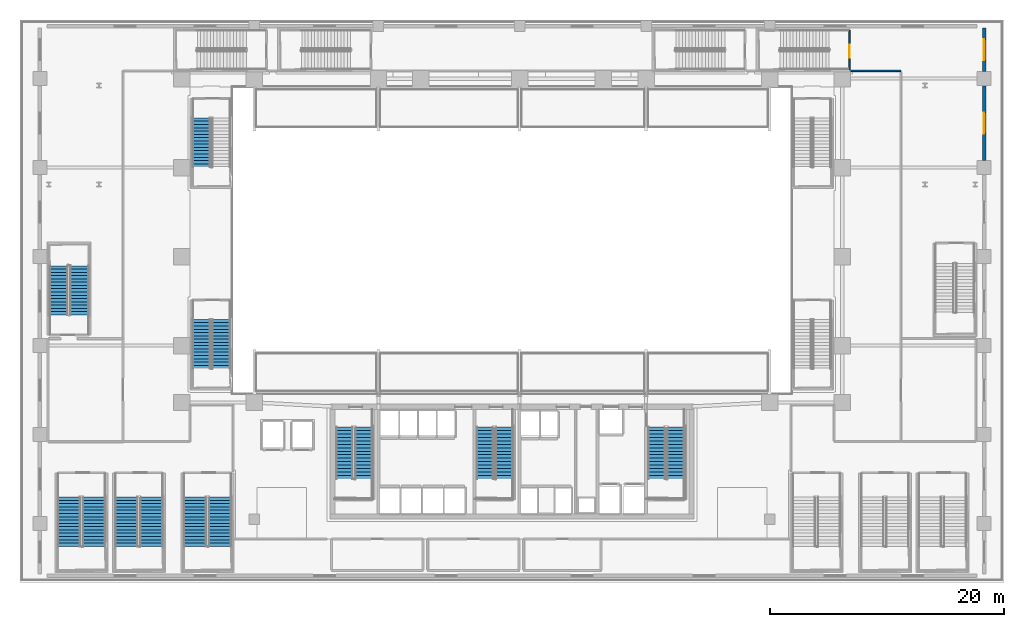
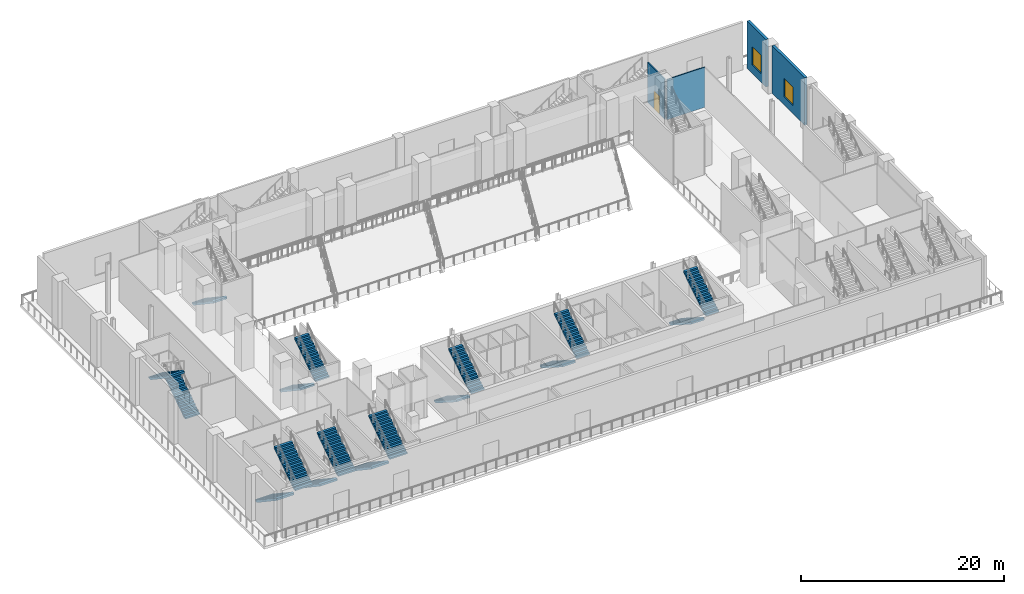
# One storey, part 12 of 30: 17 stair flights, 4 walls, 2 windows, 1 door, 3 openings, 9 elements without a shape of their own.
"""IFC4 building model written with IfcOpenShell, lengths in metres."""

from ifc_helpers import new_model, si_unit, direction, frame, frame_2d, origin, place, context, subcontext, project, spatial, polyline, rectangle, outline, extrude, material, layer, layer_set, type_object, element, fill, aggregate, save


model = new_model("IFC4")

# Units and contexts
model_context = context("Model", 3, precision=1e-05, world=origin(), true_north=direction((0.0, 1.0)))
body_context = subcontext(model_context, "Body", "Model", "MODEL_VIEW")
ifc_project = project(units=[si_unit("LENGTHUNIT", "METRE"), si_unit("AREAUNIT", "SQUARE_METRE"), si_unit("VOLUMEUNIT", "CUBIC_METRE"), si_unit("PLANEANGLEUNIT", "RADIAN"), si_unit("MASSUNIT", "GRAM", prefix="KILO")], contexts=[model_context])

# Site, building, storey
site_placement = place(None, origin())
site = spatial("IfcSite", under=ifc_project, at=site_placement, CompositionType="ELEMENT")
building_placement = place(site_placement, origin())
building = spatial("IfcBuilding", under=site, at=building_placement, Name="Ndaravel Arena Tower", CompositionType="ELEMENT")
storey_placement = place(building_placement, frame((0.0, 0.0, 6.0)))
storey = spatial("IfcBuildingStorey", under=building, at=storey_placement, Name="L01", CompositionType="ELEMENT", Elevation=6.0)

# Wall
ifc_material_1 = material(Name="Gypsum", Category="gypsum")
ifc_layer_1 = layer(ifc_material_1, 0.125)
ifc_layer_set_1 = layer_set([ifc_layer_1], Name="Gypsum")
wall_type_1 = type_object("IfcWallType", Name="WALL-PART-125", PredefinedType="PARTITIONING", material=ifc_layer_set_1)
wall_1_placement = place(storey_placement, frame((70.919921875, 43.64990234375, 0.0), z_axis=(0.0, 0.0, 1.0), x_axis=(1.0, 0.0, 0.0)))
element("IfcWall", 1, at=wall_1_placement, inside=storey, type_object=wall_type_1, Name="L01 Interior Partition 018", PredefinedType="PARTITIONING", context=body_context, shape_type="SweptSolid", body=[
    extrude(rectangle(XDim=4.280029296875, YDim=0.125, at=frame_2d((2.14013671875, 0.0))), origin(), (0.0, 0.0, 1.0), 4.819091796875),
])

# Wall, opening, window
ifc_material_2 = material(Name="Masonry", Category="masonry")
ifc_layer_2 = layer(ifc_material_2, 0.300048828125)
ifc_layer_set_2 = layer_set([ifc_layer_2], Name="Masonry")
wall_type_2 = type_object("IfcWallType", Name="WALL-POD-MAZERAS-300", PredefinedType="SOLIDWALL", material=ifc_layer_set_2)
wall_2_placement = place(storey_placement, frame((82.300048828125, 42.3798828125, 0.0), z_axis=(0.0, 0.0, 1.0), x_axis=(0.0, -1.0, 0.0)))
wall_2 = element("IfcWall", 2, at=wall_2_placement, inside=storey, type_object=wall_type_2, Name="L01 East Mazeras Bay 6", PredefinedType="SOLIDWALL", context=body_context, shape_type="SweptSolid", body=[
    extrude(rectangle(XDim=6.35986328125, YDim=0.300048828125, at=frame_2d((3.179931640625, 0.0))), origin(), (0.0, 0.0, 1.0), 5.699951171875),
])
opening_1_placement = place(wall_2_placement, frame((2.280029296875, 0.0, 1.0)))
opening_1 = element("IfcOpeningElement", 3, at=opening_1_placement, cuts=wall_2, Name="Opening W-PD2", PredefinedType="OPENING", context=body_context, shape_type="SweptSolid", body=[
    extrude(rectangle(XDim=1.800048828125, YDim=2.199951171875, at=frame_2d((0.89990234375, 1.10009765625))), frame((0.0, 0.14990234375, 0.0), z_axis=(0.0, -1.0, 0.0), x_axis=(1.0, 0.0, 0.0)), (0.0, 0.0, 1.0), 0.300048828125),
])
ifc_material_3 = material(Name="Glazing", Category="glass")
window_type = type_object("IfcWindowType", Name="WIN-POD-1800", PartitioningType="SINGLE_PANEL", PredefinedType="WINDOW", material=ifc_material_3)
window_1_placement = place(opening_1_placement, origin())
window_1 = element("IfcWindow", 4, at=window_1_placement, inside=storey, type_object=window_type, Name="L01 East Mazeras Window 6", OverallHeight=2.199951171875, OverallWidth=1.800048828125, PartitioningType="SINGLE_PANEL", PredefinedType="WINDOW", context=body_context, shape_type="SweptSolid", body=[
    extrude(rectangle(XDim=1.800048828125, YDim=2.199951171875, at=frame_2d((0.89990234375, 1.10009765625))), frame((0.0, 0.030029296875, 0.0), z_axis=(0.0, -1.0, 0.0), x_axis=(1.0, 0.0, 0.0)), (0.0, 0.0, 1.0), 0.06005859375),
])
fill(opening_1, window_1)

wall_3_placement = place(storey_placement, frame((82.300048828125, 47.300048828125, 0.0), z_axis=(0.0, 0.0, 1.0), x_axis=(0.0, -1.0, 0.0)))
wall_3 = element("IfcWall", 5, at=wall_3_placement, inside=storey, type_object=wall_type_2, Name="L01 East Mazeras Bay 7", PredefinedType="SOLIDWALL", context=body_context, shape_type="SweptSolid", body=[
    extrude(rectangle(XDim=3.699951171875, YDim=0.300048828125, at=frame_2d((1.85009765625, 0.0))), origin(), (0.0, 0.0, 1.0), 5.699951171875),
])
opening_2_placement = place(wall_3_placement, frame((0.949951171875, 0.0, 1.0)))
opening_2 = element("IfcOpeningElement", 6, at=opening_2_placement, cuts=wall_3, Name="Opening W-PD2", PredefinedType="OPENING", context=body_context, shape_type="SweptSolid", body=[
    extrude(rectangle(XDim=1.800048828125, YDim=2.199951171875, at=frame_2d((0.89990234375, 1.10009765625))), frame((0.0, 0.14990234375, 0.0), z_axis=(0.0, -1.0, 0.0), x_axis=(1.0, 0.0, 0.0)), (0.0, 0.0, 1.0), 0.300048828125),
])
window_2_placement = place(opening_2_placement, origin())
window_2 = element("IfcWindow", 7, at=window_2_placement, inside=storey, type_object=window_type, Name="L01 East Mazeras Window 7", OverallHeight=2.199951171875, OverallWidth=1.800048828125, PartitioningType="SINGLE_PANEL", PredefinedType="WINDOW", context=body_context, shape_type="SweptSolid", body=[
    extrude(rectangle(XDim=1.800048828125, YDim=2.199951171875, at=frame_2d((0.89990234375, 1.10009765625))), frame((0.0, 0.030029296875, 0.0), z_axis=(0.0, -1.0, 0.0), x_axis=(1.0, 0.0, 0.0)), (0.0, 0.0, 1.0), 0.06005859375),
])
fill(opening_2, window_2)

# Wall, opening, door
ifc_material_4 = material(Name="Concrete C40/50", Category="concrete")
ifc_layer_3 = layer(ifc_material_4, 0.1201171875)
ifc_layer_set_3 = layer_set([ifc_layer_3], Name="Concrete C40/50")
wall_type_3 = type_object("IfcWallType", Name="WALL-SHAFT-120", PredefinedType="SOLIDWALL", material=ifc_layer_set_3)
wall_4_placement = place(storey_placement, frame((70.800048828125, 47.135009765625, 0.0), z_axis=(0.0, 0.0, 1.0), x_axis=(0.0, -1.0, 0.0)))
wall_4 = element("IfcWall", 8, at=wall_4_placement, inside=storey, type_object=wall_type_3, Name="L01 ST-A11 Entry Wall", PredefinedType="SOLIDWALL", context=body_context, shape_type="SweptSolid", body=[
    extrude(rectangle(XDim=3.3701171875, YDim=0.1201171875, at=frame_2d((1.68505859375, 0.0))), origin(), (0.0, 0.0, 1.0), 4.819091796875),
])
opening_3_placement = place(wall_4_placement, frame((1.239990234375, 0.0, 0.0)))
opening_3 = element("IfcOpeningElement", 9, at=opening_3_placement, cuts=wall_4, Name="Opening FD-01", PredefinedType="OPENING", context=body_context, shape_type="SweptSolid", body=[
    extrude(rectangle(XDim=1.10009765625, YDim=2.199951171875, at=frame_2d((0.550048828125, 1.10009765625))), frame((0.0, 0.06005859375, 0.0), z_axis=(0.0, -1.0, 0.0), x_axis=(1.0, 0.0, 0.0)), (0.0, 0.0, 1.0), 0.1201171875),
])
ifc_material_5 = material(Name="Steel S355", Category="steel")
door_type = type_object("IfcDoorType", Name="DT-01-STAIR-1100", OperationType="SINGLE_SWING_LEFT", PredefinedType="DOOR", material=ifc_material_5)
door_placement = place(opening_3_placement, origin())
door = element("IfcDoor", 10, at=door_placement, inside=storey, type_object=door_type, Name="L01 ST-A11 Fire Exit Stair Door", OperationType="SINGLE_SWING_RIGHT", OverallHeight=2.199951171875, OverallWidth=1.10009765625, PredefinedType="DOOR", context=body_context, shape_type="SweptSolid", body=[
    extrude(rectangle(XDim=1.10009765625, YDim=2.199951171875, at=frame_2d((0.550048828125, 1.10009765625))), frame((0.0, 0.02490234375, 0.0), z_axis=(0.0, -1.0, 0.0), x_axis=(1.0, 0.0, 0.0)), (0.0, 0.0, 1.0), 0.050048828125),
])
fill(opening_3, door)

# Stair, stair flights
ifc_material_6 = material(Name="Concrete C40/50", Category="concrete")
stair_type_1 = type_object("IfcStairType", Name="STAIR-ARENA-HT", PredefinedType="HALF_TURN_STAIR", material=ifc_material_6)
stair_1_placement = place(storey_placement, origin())
stair_1 = element("IfcStair", 11, at=stair_1_placement, inside=storey, type_object=stair_type_1, Name="L01 ST-A01", PredefinedType="HALF_TURN_STAIR")
ifc_material_7 = material(Name="Concrete C40/50", Category="concrete")
stair_flight_type_1 = type_object("IfcStairFlightType", Name="SFLIGHT-ARENA-1980", PredefinedType="STRAIGHT", material=ifc_material_7)
stair_flight_1_placement = place(storey_placement, frame((4.18994140625, 7.27001953125, 0.0), z_axis=(0.0, 0.0, 1.0), x_axis=(0.0, -1.0, 0.0)))
stair_flight_1 = element("IfcStairFlight", 12, at=stair_flight_1_placement, type_object=stair_flight_type_1, Name="ST-A01 flight 1", NumberOfRisers=16, NumberOfTreads=15, PredefinedType="STRAIGHT", RiserHeight=0.1875, TreadLength=0.28, context=body_context, shape_type="SweptSolid", body=[
    extrude(outline(polyline([(0.0, 0.0), (0.0, 0.1875), (0.280029296875, 0.1875), (0.280029296875, 0.375), (0.56005859375, 0.375), (0.56005859375, 0.5625), (0.840087890625, 0.5625), (0.840087890625, 0.75), (1.1201171875, 0.75), (1.1201171875, 0.9375), (1.39990234375, 0.9375), (1.39990234375, 1.125), (1.679931640625, 1.125), (1.679931640625, 1.3125), (1.9599609375, 1.3125), (1.9599609375, 1.5), (2.239990234375, 1.5), (2.239990234375, 1.6875), (2.52001953125, 1.6875), (2.52001953125, 1.875), (2.800048828125, 1.875), (2.800048828125, 2.0625), (3.080078125, 2.0625), (3.080078125, 2.25), (3.360107421875, 2.25), (3.360107421875, 2.4375), (3.639892578125, 2.4375), (3.639892578125, 2.625), (3.919921875, 2.625), (3.919921875, 2.8125), (4.199951171875, 2.8125), (4.199951171875, 3.0), (4.199951171875, 2.57177734375), (0.359375, 0.0), (0.0, 0.0)])), frame((0.0, 0.989990234375, 0.0), z_axis=(0.0, -1.0, 0.0), x_axis=(1.0, 0.0, 0.0)), (0.0, 0.0, 1.0), 1.97998046875),
])
stair_flight_2_placement = place(storey_placement, frame((6.31005859375, 3.070068359375, 3.0), z_axis=(0.0, 0.0, 1.0), x_axis=(0.0, 1.0, 0.0)))
stair_flight_2 = element("IfcStairFlight", 13, at=stair_flight_2_placement, type_object=stair_flight_type_1, Name="ST-A01 flight 2", NumberOfRisers=16, NumberOfTreads=15, PredefinedType="STRAIGHT", RiserHeight=0.1875, TreadLength=0.28, context=body_context, shape_type="SweptSolid", body=[
    extrude(outline(polyline([(0.0, 0.0), (0.0, 0.1875), (0.280029296875, 0.1875), (0.280029296875, 0.375), (0.56005859375, 0.375), (0.56005859375, 0.5625), (0.840087890625, 0.5625), (0.840087890625, 0.75), (1.1201171875, 0.75), (1.1201171875, 0.9375), (1.39990234375, 0.9375), (1.39990234375, 1.125), (1.679931640625, 1.125), (1.679931640625, 1.3125), (1.9599609375, 1.3125), (1.9599609375, 1.5), (2.239990234375, 1.5), (2.239990234375, 1.6875), (2.52001953125, 1.6875), (2.52001953125, 1.875), (2.800048828125, 1.875), (2.800048828125, 2.0625), (3.080078125, 2.0625), (3.080078125, 2.25), (3.360107421875, 2.25), (3.360107421875, 2.4375), (3.639892578125, 2.4375), (3.639892578125, 2.625), (3.919921875, 2.625), (3.919921875, 2.8125), (4.199951171875, 2.8125), (4.199951171875, 3.0), (4.199951171875, 2.57177734375), (0.359375, 0.0), (0.0, 0.0)])), frame((0.0, 0.989990234375, 0.0), z_axis=(0.0, -1.0, 0.0), x_axis=(1.0, 0.0, 0.0)), (0.0, 0.0, 1.0), 1.97998046875),
])
aggregate(stair_1, [stair_flight_1, stair_flight_2])

stair_2_placement = place(storey_placement, origin())
stair_2 = element("IfcStair", 14, at=stair_2_placement, inside=storey, type_object=stair_type_1, Name="L01 ST-A02", PredefinedType="HALF_TURN_STAIR")
stair_flight_3_placement = place(storey_placement, frame((9.090087890625, 7.27001953125, 0.0), z_axis=(0.0, 0.0, 1.0), x_axis=(0.0, -1.0, 0.0)))
stair_flight_3 = element("IfcStairFlight", 15, at=stair_flight_3_placement, type_object=stair_flight_type_1, Name="ST-A02 flight 1", NumberOfRisers=16, NumberOfTreads=15, PredefinedType="STRAIGHT", RiserHeight=0.1875, TreadLength=0.28, context=body_context, shape_type="SweptSolid", body=[
    extrude(outline(polyline([(0.0, 0.0), (0.0, 0.1875), (0.280029296875, 0.1875), (0.280029296875, 0.375), (0.56005859375, 0.375), (0.56005859375, 0.5625), (0.840087890625, 0.5625), (0.840087890625, 0.75), (1.1201171875, 0.75), (1.1201171875, 0.9375), (1.39990234375, 0.9375), (1.39990234375, 1.125), (1.679931640625, 1.125), (1.679931640625, 1.3125), (1.9599609375, 1.3125), (1.9599609375, 1.5), (2.239990234375, 1.5), (2.239990234375, 1.6875), (2.52001953125, 1.6875), (2.52001953125, 1.875), (2.800048828125, 1.875), (2.800048828125, 2.0625), (3.080078125, 2.0625), (3.080078125, 2.25), (3.360107421875, 2.25), (3.360107421875, 2.4375), (3.639892578125, 2.4375), (3.639892578125, 2.625), (3.919921875, 2.625), (3.919921875, 2.8125), (4.199951171875, 2.8125), (4.199951171875, 3.0), (4.199951171875, 2.57177734375), (0.359375, 0.0), (0.0, 0.0)])), frame((0.0, 0.989990234375, 0.0), z_axis=(0.0, -1.0, 0.0), x_axis=(1.0, 0.0, 0.0)), (0.0, 0.0, 1.0), 1.97998046875),
])
stair_flight_4_placement = place(storey_placement, frame((11.2099609375, 3.070068359375, 3.0), z_axis=(0.0, 0.0, 1.0), x_axis=(0.0, 1.0, 0.0)))
stair_flight_4 = element("IfcStairFlight", 16, at=stair_flight_4_placement, type_object=stair_flight_type_1, Name="ST-A02 flight 2", NumberOfRisers=16, NumberOfTreads=15, PredefinedType="STRAIGHT", RiserHeight=0.1875, TreadLength=0.28, context=body_context, shape_type="SweptSolid", body=[
    extrude(outline(polyline([(0.0, 0.0), (0.0, 0.1875), (0.280029296875, 0.1875), (0.280029296875, 0.375), (0.56005859375, 0.375), (0.56005859375, 0.5625), (0.840087890625, 0.5625), (0.840087890625, 0.75), (1.1201171875, 0.75), (1.1201171875, 0.9375), (1.39990234375, 0.9375), (1.39990234375, 1.125), (1.679931640625, 1.125), (1.679931640625, 1.3125), (1.9599609375, 1.3125), (1.9599609375, 1.5), (2.239990234375, 1.5), (2.239990234375, 1.6875), (2.52001953125, 1.6875), (2.52001953125, 1.875), (2.800048828125, 1.875), (2.800048828125, 2.0625), (3.080078125, 2.0625), (3.080078125, 2.25), (3.360107421875, 2.25), (3.360107421875, 2.4375), (3.639892578125, 2.4375), (3.639892578125, 2.625), (3.919921875, 2.625), (3.919921875, 2.8125), (4.199951171875, 2.8125), (4.199951171875, 3.0), (4.199951171875, 2.57177734375), (0.359375, 0.0), (0.0, 0.0)])), frame((0.0, 0.989990234375, 0.0), z_axis=(0.0, -1.0, 0.0), x_axis=(1.0, 0.0, 0.0)), (0.0, 0.0, 1.0), 1.97998046875),
])
aggregate(stair_2, [stair_flight_3, stair_flight_4])

stair_3_placement = place(storey_placement, origin())
stair_3 = element("IfcStair", 17, at=stair_3_placement, inside=storey, type_object=stair_type_1, Name="L01 ST-A03", PredefinedType="HALF_TURN_STAIR")
stair_flight_5_placement = place(storey_placement, frame((14.93994140625, 7.27001953125, 0.0), z_axis=(0.0, 0.0, 1.0), x_axis=(0.0, -1.0, 0.0)))
stair_flight_5 = element("IfcStairFlight", 18, at=stair_flight_5_placement, type_object=stair_flight_type_1, Name="ST-A03 flight 1", NumberOfRisers=16, NumberOfTreads=15, PredefinedType="STRAIGHT", RiserHeight=0.1875, TreadLength=0.28, context=body_context, shape_type="SweptSolid", body=[
    extrude(outline(polyline([(0.0, 0.0), (0.0, 0.1875), (0.280029296875, 0.1875), (0.280029296875, 0.375), (0.56005859375, 0.375), (0.56005859375, 0.5625), (0.840087890625, 0.5625), (0.840087890625, 0.75), (1.1201171875, 0.75), (1.1201171875, 0.9375), (1.39990234375, 0.9375), (1.39990234375, 1.125), (1.679931640625, 1.125), (1.679931640625, 1.3125), (1.9599609375, 1.3125), (1.9599609375, 1.5), (2.239990234375, 1.5), (2.239990234375, 1.6875), (2.52001953125, 1.6875), (2.52001953125, 1.875), (2.800048828125, 1.875), (2.800048828125, 2.0625), (3.080078125, 2.0625), (3.080078125, 2.25), (3.360107421875, 2.25), (3.360107421875, 2.4375), (3.639892578125, 2.4375), (3.639892578125, 2.625), (3.919921875, 2.625), (3.919921875, 2.8125), (4.199951171875, 2.8125), (4.199951171875, 3.0), (4.199951171875, 2.57177734375), (0.359375, 0.0), (0.0, 0.0)])), frame((0.0, 0.989990234375, 0.0), z_axis=(0.0, -1.0, 0.0), x_axis=(1.0, 0.0, 0.0)), (0.0, 0.0, 1.0), 1.97998046875),
])
stair_flight_6_placement = place(storey_placement, frame((17.06005859375, 3.070068359375, 3.0), z_axis=(0.0, 0.0, 1.0), x_axis=(0.0, 1.0, 0.0)))
stair_flight_6 = element("IfcStairFlight", 19, at=stair_flight_6_placement, type_object=stair_flight_type_1, Name="ST-A03 flight 2", NumberOfRisers=16, NumberOfTreads=15, PredefinedType="STRAIGHT", RiserHeight=0.1875, TreadLength=0.28, context=body_context, shape_type="SweptSolid", body=[
    extrude(outline(polyline([(0.0, 0.0), (0.0, 0.1875), (0.280029296875, 0.1875), (0.280029296875, 0.375), (0.56005859375, 0.375), (0.56005859375, 0.5625), (0.840087890625, 0.5625), (0.840087890625, 0.75), (1.1201171875, 0.75), (1.1201171875, 0.9375), (1.39990234375, 0.9375), (1.39990234375, 1.125), (1.679931640625, 1.125), (1.679931640625, 1.3125), (1.9599609375, 1.3125), (1.9599609375, 1.5), (2.239990234375, 1.5), (2.239990234375, 1.6875), (2.52001953125, 1.6875), (2.52001953125, 1.875), (2.800048828125, 1.875), (2.800048828125, 2.0625), (3.080078125, 2.0625), (3.080078125, 2.25), (3.360107421875, 2.25), (3.360107421875, 2.4375), (3.639892578125, 2.4375), (3.639892578125, 2.625), (3.919921875, 2.625), (3.919921875, 2.8125), (4.199951171875, 2.8125), (4.199951171875, 3.0), (4.199951171875, 2.57177734375), (0.359375, 0.0), (0.0, 0.0)])), frame((0.0, 0.989990234375, 0.0), z_axis=(0.0, -1.0, 0.0), x_axis=(1.0, 0.0, 0.0)), (0.0, 0.0, 1.0), 1.97998046875),
])
aggregate(stair_3, [stair_flight_5, stair_flight_6])

ifc_material_8 = material(Name="Concrete C40/50", Category="concrete")
stair_type_2 = type_object("IfcStairType", Name="STAIR-POD-QT", PredefinedType="QUARTER_TURN_STAIR", material=ifc_material_8)
stair_4_placement = place(storey_placement, origin())
stair_4 = element("IfcStair", 20, at=stair_4_placement, inside=storey, type_object=stair_type_2, Name="L01 ST-A07", PredefinedType="QUARTER_TURN_STAIR")
stair_flight_7_placement = place(storey_placement, frame((5.070068359375, 22.820068359375, 0.0), z_axis=(0.0, 0.0, 1.0), x_axis=(0.0, 1.0, 0.0)))
stair_flight_7 = element("IfcStairFlight", 21, at=stair_flight_7_placement, type_object=stair_flight_type_1, Name="ST-A07 flight 1", NumberOfRisers=16, NumberOfTreads=15, PredefinedType="STRAIGHT", RiserHeight=0.1875, TreadLength=0.28, context=body_context, shape_type="SweptSolid", body=[
    extrude(outline(polyline([(0.0, 0.0), (0.0, 0.1875), (0.280029296875, 0.1875), (0.280029296875, 0.375), (0.56005859375, 0.375), (0.56005859375, 0.5625), (0.840087890625, 0.5625), (0.840087890625, 0.75), (1.1201171875, 0.75), (1.1201171875, 0.9375), (1.39990234375, 0.9375), (1.39990234375, 1.125), (1.679931640625, 1.125), (1.679931640625, 1.3125), (1.9599609375, 1.3125), (1.9599609375, 1.5), (2.239990234375, 1.5), (2.239990234375, 1.6875), (2.52001953125, 1.6875), (2.52001953125, 1.875), (2.800048828125, 1.875), (2.800048828125, 2.0625), (3.080078125, 2.0625), (3.080078125, 2.25), (3.360107421875, 2.25), (3.360107421875, 2.4375), (3.639892578125, 2.4375), (3.639892578125, 2.625), (3.919921875, 2.625), (3.919921875, 2.8125), (4.199951171875, 2.8125), (4.199951171875, 3.0), (4.199951171875, 2.57177734375), (0.359375, 0.0), (0.0, 0.0)])), frame((0.0, 0.81005859375, 0.0), z_axis=(0.0, -1.0, 0.0), x_axis=(1.0, 0.0, 0.0)), (0.0, 0.0, 1.0), 1.6201171875),
])
stair_flight_8_placement = place(storey_placement, frame((3.31005859375, 27.02001953125, 3.0), z_axis=(0.0, 0.0, 1.0), x_axis=(0.0, -1.0, 0.0)))
stair_flight_8 = element("IfcStairFlight", 22, at=stair_flight_8_placement, type_object=stair_flight_type_1, Name="ST-A07 flight 2", NumberOfRisers=16, NumberOfTreads=15, PredefinedType="STRAIGHT", RiserHeight=0.1875, TreadLength=0.28, context=body_context, shape_type="SweptSolid", body=[
    extrude(outline(polyline([(0.0, 0.0), (0.0, 0.1875), (0.280029296875, 0.1875), (0.280029296875, 0.375), (0.56005859375, 0.375), (0.56005859375, 0.5625), (0.840087890625, 0.5625), (0.840087890625, 0.75), (1.1201171875, 0.75), (1.1201171875, 0.9375), (1.39990234375, 0.9375), (1.39990234375, 1.125), (1.679931640625, 1.125), (1.679931640625, 1.3125), (1.9599609375, 1.3125), (1.9599609375, 1.5), (2.239990234375, 1.5), (2.239990234375, 1.6875), (2.52001953125, 1.6875), (2.52001953125, 1.875), (2.800048828125, 1.875), (2.800048828125, 2.0625), (3.080078125, 2.0625), (3.080078125, 2.25), (3.360107421875, 2.25), (3.360107421875, 2.4375), (3.639892578125, 2.4375), (3.639892578125, 2.625), (3.919921875, 2.625), (3.919921875, 2.8125), (4.199951171875, 2.8125), (4.199951171875, 3.0), (4.199951171875, 2.57177734375), (0.359375, 0.0), (0.0, 0.0)])), frame((0.0, 0.81005859375, 0.0), z_axis=(0.0, -1.0, 0.0), x_axis=(1.0, 0.0, 0.0)), (0.0, 0.0, 1.0), 1.6201171875),
])
aggregate(stair_4, [stair_flight_7, stair_flight_8])

ifc_material_9 = material(Name="Concrete C40/50", Category="concrete")
stair_type_3 = type_object("IfcStairType", Name="STAIR-CORE-HT", PredefinedType="HALF_TURN_STAIR", material=ifc_material_9)
stair_5_placement = place(storey_placement, origin())
stair_5 = element("IfcStair", 23, at=stair_5_placement, inside=storey, type_object=stair_type_3, Name="L01 ST-1", PredefinedType="HALF_TURN_STAIR")
ifc_material_10 = material(Name="Concrete C40/50", Category="concrete")
stair_flight_type_2 = type_object("IfcStairFlightType", Name="SFLIGHT-CORE-1680", PredefinedType="STRAIGHT", material=ifc_material_10)
stair_flight_9_placement = place(storey_placement, frame((27.699951171875, 13.25, 0.0), z_axis=(0.0, 0.0, 1.0), x_axis=(0.0, -1.0, 0.0)))
stair_flight_9 = element("IfcStairFlight", 24, at=stair_flight_9_placement, type_object=stair_flight_type_2, Name="ST-1 flight 1", NumberOfRisers=16, NumberOfTreads=15, PredefinedType="STRAIGHT", RiserHeight=0.1875, TreadLength=0.295, context=body_context, shape_type="SweptSolid", body=[
    extrude(outline(polyline([(0.0, 0.0), (0.0, 0.1875), (0.294921875, 0.1875), (0.294921875, 0.375), (0.590087890625, 0.375), (0.590087890625, 0.5625), (0.885009765625, 0.5625), (0.885009765625, 0.75), (1.179931640625, 0.75), (1.179931640625, 0.9375), (1.47509765625, 0.9375), (1.47509765625, 1.125), (1.77001953125, 1.125), (1.77001953125, 1.3125), (2.06494140625, 1.3125), (2.06494140625, 1.5), (2.360107421875, 1.5), (2.360107421875, 1.6875), (2.655029296875, 1.6875), (2.655029296875, 1.875), (2.949951171875, 1.875), (2.949951171875, 2.0625), (3.2451171875, 2.0625), (3.2451171875, 2.25), (3.5400390625, 2.25), (3.5400390625, 2.4375), (3.8349609375, 2.4375), (3.8349609375, 2.625), (4.1298828125, 2.625), (4.1298828125, 2.8125), (4.425048828125, 2.8125), (4.425048828125, 3.0), (4.425048828125, 2.599365234375), (0.33544921875, 0.0), (0.0, 0.0)])), frame((0.0, 0.75, 0.0), z_axis=(0.0, -1.0, 0.0), x_axis=(1.0, 0.0, 0.0)), (0.0, 0.0, 1.0), 1.5),
])
stair_flight_10_placement = place(storey_placement, frame((29.340087890625, 8.824951171875, 3.0), z_axis=(0.0, 0.0, 1.0), x_axis=(0.0, 1.0, 0.0)))
stair_flight_10 = element("IfcStairFlight", 25, at=stair_flight_10_placement, type_object=stair_flight_type_2, Name="ST-1 flight 2", NumberOfRisers=16, NumberOfTreads=15, PredefinedType="STRAIGHT", RiserHeight=0.1875, TreadLength=0.295, context=body_context, shape_type="SweptSolid", body=[
    extrude(outline(polyline([(0.0, 0.0), (0.0, 0.1875), (0.294921875, 0.1875), (0.294921875, 0.375), (0.590087890625, 0.375), (0.590087890625, 0.5625), (0.885009765625, 0.5625), (0.885009765625, 0.75), (1.179931640625, 0.75), (1.179931640625, 0.9375), (1.47509765625, 0.9375), (1.47509765625, 1.125), (1.77001953125, 1.125), (1.77001953125, 1.3125), (2.06494140625, 1.3125), (2.06494140625, 1.5), (2.360107421875, 1.5), (2.360107421875, 1.6875), (2.655029296875, 1.6875), (2.655029296875, 1.875), (2.949951171875, 1.875), (2.949951171875, 2.0625), (3.2451171875, 2.0625), (3.2451171875, 2.25), (3.5400390625, 2.25), (3.5400390625, 2.4375), (3.8349609375, 2.4375), (3.8349609375, 2.625), (4.1298828125, 2.625), (4.1298828125, 2.8125), (4.425048828125, 2.8125), (4.425048828125, 3.0), (4.425048828125, 2.599365234375), (0.33544921875, 0.0), (0.0, 0.0)])), frame((0.0, 0.75, 0.0), z_axis=(0.0, -1.0, 0.0), x_axis=(1.0, 0.0, 0.0)), (0.0, 0.0, 1.0), 1.5),
])
aggregate(stair_5, [stair_flight_9, stair_flight_10])

stair_6_placement = place(storey_placement, origin())
stair_6 = element("IfcStair", 26, at=stair_6_placement, inside=storey, type_object=stair_type_3, Name="L01 ST-2", PredefinedType="HALF_TURN_STAIR")
stair_flight_11_placement = place(storey_placement, frame((39.699951171875, 13.25, 0.0), z_axis=(0.0, 0.0, 1.0), x_axis=(0.0, -1.0, 0.0)))
stair_flight_11 = element("IfcStairFlight", 27, at=stair_flight_11_placement, type_object=stair_flight_type_2, Name="ST-2 flight 1", NumberOfRisers=16, NumberOfTreads=15, PredefinedType="STRAIGHT", RiserHeight=0.1875, TreadLength=0.295, context=body_context, shape_type="SweptSolid", body=[
    extrude(outline(polyline([(0.0, 0.0), (0.0, 0.1875), (0.294921875, 0.1875), (0.294921875, 0.375), (0.590087890625, 0.375), (0.590087890625, 0.5625), (0.885009765625, 0.5625), (0.885009765625, 0.75), (1.179931640625, 0.75), (1.179931640625, 0.9375), (1.47509765625, 0.9375), (1.47509765625, 1.125), (1.77001953125, 1.125), (1.77001953125, 1.3125), (2.06494140625, 1.3125), (2.06494140625, 1.5), (2.360107421875, 1.5), (2.360107421875, 1.6875), (2.655029296875, 1.6875), (2.655029296875, 1.875), (2.949951171875, 1.875), (2.949951171875, 2.0625), (3.2451171875, 2.0625), (3.2451171875, 2.25), (3.5400390625, 2.25), (3.5400390625, 2.4375), (3.8349609375, 2.4375), (3.8349609375, 2.625), (4.1298828125, 2.625), (4.1298828125, 2.8125), (4.425048828125, 2.8125), (4.425048828125, 3.0), (4.425048828125, 2.599365234375), (0.33544921875, 0.0), (0.0, 0.0)])), frame((0.0, 0.75, 0.0), z_axis=(0.0, -1.0, 0.0), x_axis=(1.0, 0.0, 0.0)), (0.0, 0.0, 1.0), 1.5),
])
stair_flight_12_placement = place(storey_placement, frame((41.340087890625, 8.824951171875, 3.0), z_axis=(0.0, 0.0, 1.0), x_axis=(0.0, 1.0, 0.0)))
stair_flight_12 = element("IfcStairFlight", 28, at=stair_flight_12_placement, type_object=stair_flight_type_2, Name="ST-2 flight 2", NumberOfRisers=16, NumberOfTreads=15, PredefinedType="STRAIGHT", RiserHeight=0.1875, TreadLength=0.295, context=body_context, shape_type="SweptSolid", body=[
    extrude(outline(polyline([(0.0, 0.0), (0.0, 0.1875), (0.294921875, 0.1875), (0.294921875, 0.375), (0.590087890625, 0.375), (0.590087890625, 0.5625), (0.885009765625, 0.5625), (0.885009765625, 0.75), (1.179931640625, 0.75), (1.179931640625, 0.9375), (1.47509765625, 0.9375), (1.47509765625, 1.125), (1.77001953125, 1.125), (1.77001953125, 1.3125), (2.06494140625, 1.3125), (2.06494140625, 1.5), (2.360107421875, 1.5), (2.360107421875, 1.6875), (2.655029296875, 1.6875), (2.655029296875, 1.875), (2.949951171875, 1.875), (2.949951171875, 2.0625), (3.2451171875, 2.0625), (3.2451171875, 2.25), (3.5400390625, 2.25), (3.5400390625, 2.4375), (3.8349609375, 2.4375), (3.8349609375, 2.625), (4.1298828125, 2.625), (4.1298828125, 2.8125), (4.425048828125, 2.8125), (4.425048828125, 3.0), (4.425048828125, 2.599365234375), (0.33544921875, 0.0), (0.0, 0.0)])), frame((0.0, 0.75, 0.0), z_axis=(0.0, -1.0, 0.0), x_axis=(1.0, 0.0, 0.0)), (0.0, 0.0, 1.0), 1.5),
])
aggregate(stair_6, [stair_flight_11, stair_flight_12])

stair_7_placement = place(storey_placement, origin())
stair_7 = element("IfcStair", 29, at=stair_7_placement, inside=storey, type_object=stair_type_3, Name="L01 ST-3", PredefinedType="HALF_TURN_STAIR")
stair_flight_13_placement = place(storey_placement, frame((54.35009765625, 13.25, 0.0), z_axis=(0.0, 0.0, 1.0), x_axis=(0.0, -1.0, 0.0)))
stair_flight_13 = element("IfcStairFlight", 30, at=stair_flight_13_placement, type_object=stair_flight_type_2, Name="ST-3 flight 1", NumberOfRisers=16, NumberOfTreads=15, PredefinedType="STRAIGHT", RiserHeight=0.1875, TreadLength=0.295, context=body_context, shape_type="SweptSolid", body=[
    extrude(outline(polyline([(0.0, 0.0), (0.0, 0.1875), (0.294921875, 0.1875), (0.294921875, 0.375), (0.590087890625, 0.375), (0.590087890625, 0.5625), (0.885009765625, 0.5625), (0.885009765625, 0.75), (1.179931640625, 0.75), (1.179931640625, 0.9375), (1.47509765625, 0.9375), (1.47509765625, 1.125), (1.77001953125, 1.125), (1.77001953125, 1.3125), (2.06494140625, 1.3125), (2.06494140625, 1.5), (2.360107421875, 1.5), (2.360107421875, 1.6875), (2.655029296875, 1.6875), (2.655029296875, 1.875), (2.949951171875, 1.875), (2.949951171875, 2.0625), (3.2451171875, 2.0625), (3.2451171875, 2.25), (3.5400390625, 2.25), (3.5400390625, 2.4375), (3.8349609375, 2.4375), (3.8349609375, 2.625), (4.1298828125, 2.625), (4.1298828125, 2.8125), (4.425048828125, 2.8125), (4.425048828125, 3.0), (4.425048828125, 2.599365234375), (0.33544921875, 0.0), (0.0, 0.0)])), frame((0.0, 0.75, 0.0), z_axis=(0.0, -1.0, 0.0), x_axis=(1.0, 0.0, 0.0)), (0.0, 0.0, 1.0), 1.5),
])
stair_flight_14_placement = place(storey_placement, frame((55.989990234375, 8.824951171875, 3.0), z_axis=(0.0, 0.0, 1.0), x_axis=(0.0, 1.0, 0.0)))
stair_flight_14 = element("IfcStairFlight", 31, at=stair_flight_14_placement, type_object=stair_flight_type_2, Name="ST-3 flight 2", NumberOfRisers=16, NumberOfTreads=15, PredefinedType="STRAIGHT", RiserHeight=0.1875, TreadLength=0.295, context=body_context, shape_type="SweptSolid", body=[
    extrude(outline(polyline([(0.0, 0.0), (0.0, 0.1875), (0.294921875, 0.1875), (0.294921875, 0.375), (0.590087890625, 0.375), (0.590087890625, 0.5625), (0.885009765625, 0.5625), (0.885009765625, 0.75), (1.179931640625, 0.75), (1.179931640625, 0.9375), (1.47509765625, 0.9375), (1.47509765625, 1.125), (1.77001953125, 1.125), (1.77001953125, 1.3125), (2.06494140625, 1.3125), (2.06494140625, 1.5), (2.360107421875, 1.5), (2.360107421875, 1.6875), (2.655029296875, 1.6875), (2.655029296875, 1.875), (2.949951171875, 1.875), (2.949951171875, 2.0625), (3.2451171875, 2.0625), (3.2451171875, 2.25), (3.5400390625, 2.25), (3.5400390625, 2.4375), (3.8349609375, 2.4375), (3.8349609375, 2.625), (4.1298828125, 2.625), (4.1298828125, 2.8125), (4.425048828125, 2.8125), (4.425048828125, 3.0), (4.425048828125, 2.599365234375), (0.33544921875, 0.0), (0.0, 0.0)])), frame((0.0, 0.75, 0.0), z_axis=(0.0, -1.0, 0.0), x_axis=(1.0, 0.0, 0.0)), (0.0, 0.0, 1.0), 1.5),
])
aggregate(stair_7, [stair_flight_13, stair_flight_14])

ifc_material_11 = material(Name="Concrete C40/50", Category="concrete")
stair_type_4 = type_object("IfcStairType", Name="STAIR-VOM-STR", PredefinedType="STRAIGHT_RUN_STAIR", material=ifc_material_11)
stair_8_placement = place(storey_placement, origin())
stair_8 = element("IfcStair", 32, at=stair_8_placement, inside=storey, type_object=stair_type_4, Name="L01 ST-VOM-1", PredefinedType="STRAIGHT_RUN_STAIR")
ifc_material_12 = material(Name="Concrete C40/50", Category="concrete")
stair_flight_type_3 = type_object("IfcStairFlightType", Name="SFLIGHT-VOM-1350", PredefinedType="STRAIGHT", material=ifc_material_12)
stair_flight_15_placement = place(storey_placement, frame((15.47998046875, 22.43994140625, 0.0), z_axis=(0.0, 0.0, 1.0), x_axis=(0.0, -1.0, 0.0)))
stair_flight_15 = element("IfcStairFlight", 33, at=stair_flight_15_placement, type_object=stair_flight_type_3, Name="ST-VOM-1 flight 1", NumberOfRisers=16, NumberOfTreads=15, PredefinedType="STRAIGHT", RiserHeight=0.1875, TreadLength=0.28, context=body_context, shape_type="SweptSolid", body=[
    extrude(outline(polyline([(0.0, 0.0), (0.0, 0.1875), (0.280029296875, 0.1875), (0.280029296875, 0.375), (0.56005859375, 0.375), (0.56005859375, 0.5625), (0.840087890625, 0.5625), (0.840087890625, 0.75), (1.1201171875, 0.75), (1.1201171875, 0.9375), (1.39990234375, 0.9375), (1.39990234375, 1.125), (1.679931640625, 1.125), (1.679931640625, 1.3125), (1.9599609375, 1.3125), (1.9599609375, 1.5), (2.239990234375, 1.5), (2.239990234375, 1.6875), (2.52001953125, 1.6875), (2.52001953125, 1.875), (2.800048828125, 1.875), (2.800048828125, 2.0625), (3.080078125, 2.0625), (3.080078125, 2.25), (3.360107421875, 2.25), (3.360107421875, 2.4375), (3.639892578125, 2.4375), (3.639892578125, 2.625), (3.919921875, 2.625), (3.919921875, 2.8125), (4.199951171875, 2.8125), (4.199951171875, 3.0), (4.199951171875, 2.595947265625), (0.323486328125, 0.0), (0.0, 0.0)])), frame((0.0, 0.780029296875, 0.0), z_axis=(0.0, -1.0, 0.0), x_axis=(1.0, 0.0, 0.0)), (0.0, 0.0, 1.0), 1.56005859375),
])
stair_flight_16_placement = place(storey_placement, frame((17.179931640625, 18.239990234375, 3.0), z_axis=(0.0, 0.0, 1.0), x_axis=(0.0, 1.0, 0.0)))
stair_flight_16 = element("IfcStairFlight", 34, at=stair_flight_16_placement, type_object=stair_flight_type_3, Name="ST-VOM-1 flight 2", NumberOfRisers=16, NumberOfTreads=15, PredefinedType="STRAIGHT", RiserHeight=0.1875, TreadLength=0.28, context=body_context, shape_type="SweptSolid", body=[
    extrude(outline(polyline([(0.0, 0.0), (0.0, 0.1875), (0.280029296875, 0.1875), (0.280029296875, 0.375), (0.56005859375, 0.375), (0.56005859375, 0.5625), (0.840087890625, 0.5625), (0.840087890625, 0.75), (1.1201171875, 0.75), (1.1201171875, 0.9375), (1.39990234375, 0.9375), (1.39990234375, 1.125), (1.679931640625, 1.125), (1.679931640625, 1.3125), (1.9599609375, 1.3125), (1.9599609375, 1.5), (2.239990234375, 1.5), (2.239990234375, 1.6875), (2.52001953125, 1.6875), (2.52001953125, 1.875), (2.800048828125, 1.875), (2.800048828125, 2.0625), (3.080078125, 2.0625), (3.080078125, 2.25), (3.360107421875, 2.25), (3.360107421875, 2.4375), (3.639892578125, 2.4375), (3.639892578125, 2.625), (3.919921875, 2.625), (3.919921875, 2.8125), (4.199951171875, 2.8125), (4.199951171875, 3.0), (4.199951171875, 2.595947265625), (0.323486328125, 0.0), (0.0, 0.0)])), frame((0.0, 0.780029296875, 0.0), z_axis=(0.0, -1.0, 0.0), x_axis=(1.0, 0.0, 0.0)), (0.0, 0.0, 1.0), 1.56005859375),
])
aggregate(stair_8, [stair_flight_15, stair_flight_16])

# Stair, stair flight
stair_9_placement = place(storey_placement, origin())
stair_9 = element("IfcStair", 35, at=stair_9_placement, inside=storey, type_object=stair_type_4, Name="L01 ST-VOM-2", PredefinedType="STRAIGHT_RUN_STAIR")
stair_flight_17_placement = place(storey_placement, frame((15.47998046875, 39.639892578125, 0.0), z_axis=(0.0, 0.0, 1.0), x_axis=(0.0, -1.0, 0.0)))
stair_flight_17 = element("IfcStairFlight", 36, at=stair_flight_17_placement, type_object=stair_flight_type_3, Name="ST-VOM-2 flight 1", NumberOfRisers=16, NumberOfTreads=15, PredefinedType="STRAIGHT", RiserHeight=0.1875, TreadLength=0.28, context=body_context, shape_type="SweptSolid", body=[
    extrude(outline(polyline([(0.0, 0.0), (0.0, 0.1875), (0.280029296875, 0.1875), (0.280029296875, 0.375), (0.56005859375, 0.375), (0.56005859375, 0.5625), (0.840087890625, 0.5625), (0.840087890625, 0.75), (1.1201171875, 0.75), (1.1201171875, 0.9375), (1.39990234375, 0.9375), (1.39990234375, 1.125), (1.679931640625, 1.125), (1.679931640625, 1.3125), (1.9599609375, 1.3125), (1.9599609375, 1.5), (2.239990234375, 1.5), (2.239990234375, 1.6875), (2.52001953125, 1.6875), (2.52001953125, 1.875), (2.800048828125, 1.875), (2.800048828125, 2.0625), (3.080078125, 2.0625), (3.080078125, 2.25), (3.360107421875, 2.25), (3.360107421875, 2.4375), (3.639892578125, 2.4375), (3.639892578125, 2.625), (3.919921875, 2.625), (3.919921875, 2.8125), (4.199951171875, 2.8125), (4.199951171875, 3.0), (4.199951171875, 2.595947265625), (0.323486328125, 0.0), (0.0, 0.0)])), frame((0.0, 0.780029296875, 0.0), z_axis=(0.0, -1.0, 0.0), x_axis=(1.0, 0.0, 0.0)), (0.0, 0.0, 1.0), 1.56005859375),
])
aggregate(stair_9, [stair_flight_17])

save(model, "model.ifc")
